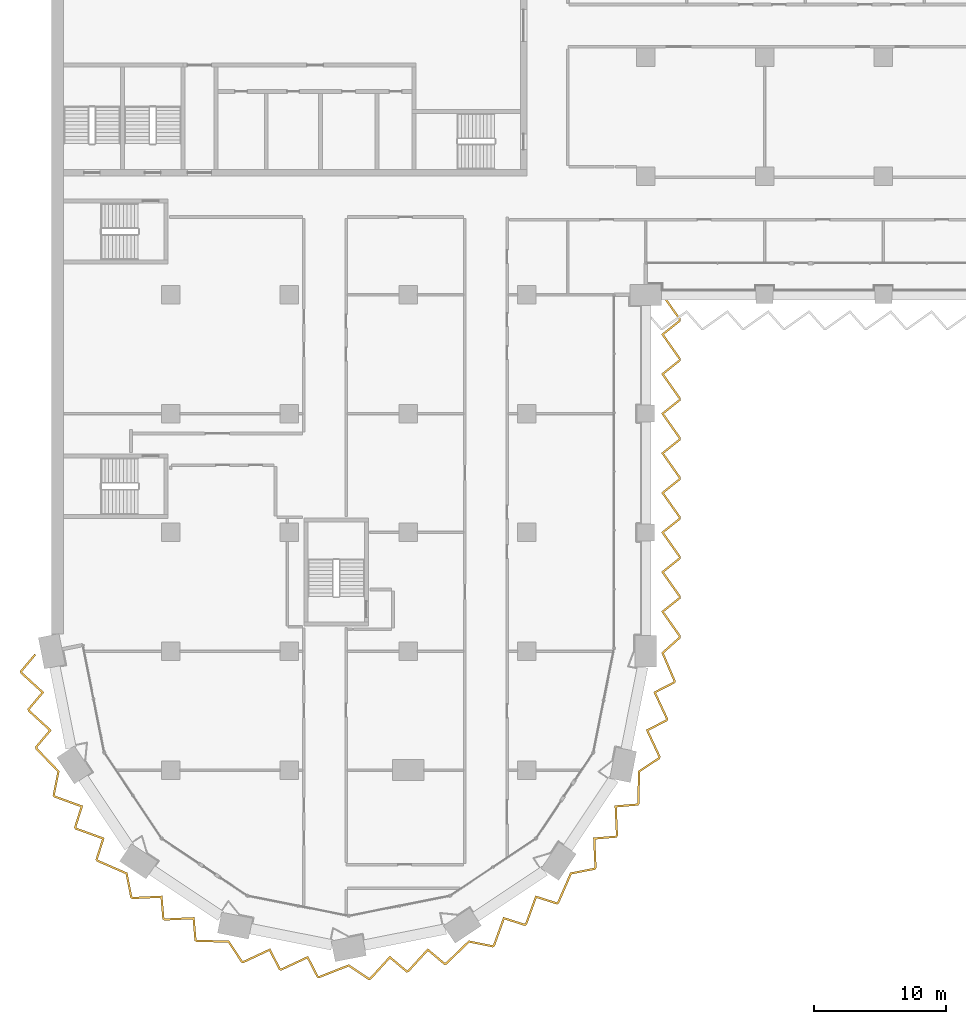
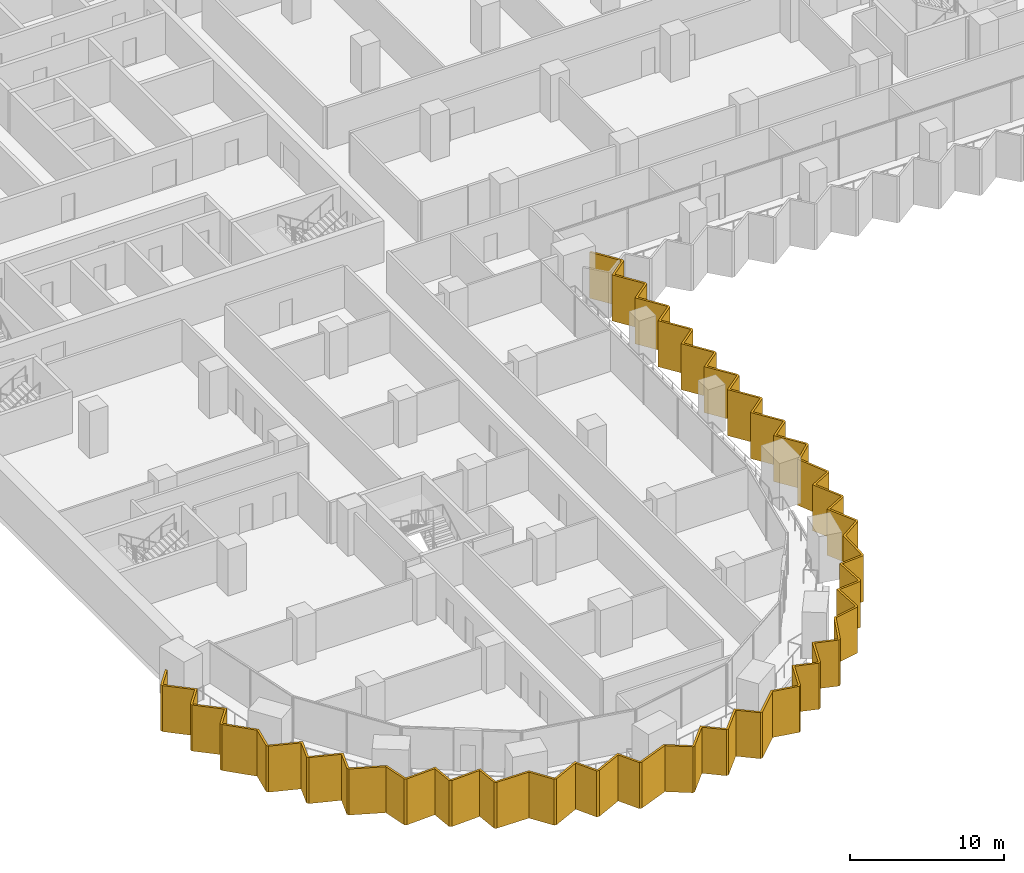
# One storey, part 24 of 29: 1 shading device.
"""IFC4 building model written with IfcOpenShell, lengths in metres."""

from ifc_helpers import new_model, si_unit, direction, frame, origin, place, context, subcontext, project, spatial, polyline, outline, extrude, material, layer, layer_set, type_object, element, save


model = new_model("IFC4")

# Units and contexts
model_context = context("Model", 3, precision=1e-05, world=origin(), true_north=direction((0.0, 1.0)))
body_context = subcontext(model_context, "Body", "Model", "MODEL_VIEW")
ifc_project = project(units=[si_unit("LENGTHUNIT", "METRE"), si_unit("AREAUNIT", "SQUARE_METRE"), si_unit("VOLUMEUNIT", "CUBIC_METRE"), si_unit("PLANEANGLEUNIT", "RADIAN"), si_unit("MASSUNIT", "GRAM", prefix="KILO")], contexts=[model_context])

# Site, building, storey
site_placement = place(None, origin())
site = spatial("IfcSite", under=ifc_project, at=site_placement, CompositionType="ELEMENT")
building_placement = place(site_placement, origin())
building = spatial("IfcBuilding", under=site, at=building_placement, Name="Hunhe Ridgeline Campus", CompositionType="ELEMENT")
storey_placement = place(building_placement, frame((0.0, 0.0, 50.60009765625)))
storey = spatial("IfcBuildingStorey", under=building, at=storey_placement, Name="L11", CompositionType="ELEMENT", Elevation=50.60009765625)

# Shading device
ifc_material = material(Name="Concrete C50", Category="concrete")
ifc_layer = layer(ifc_material, 0.14990234375)
ifc_layer_set = layer_set([ifc_layer], Name="Sawtooth concrete fin 150 Concrete C50")
shading_device_type = type_object("IfcShadingDeviceType", Name="Sawtooth concrete fin 150 Concrete C50", PredefinedType="USERDEFINED", material=ifc_layer_set)
shading_device_placement = place(storey_placement, frame((0.0, 0.0, -0.9501953125)))
element("IfcShadingDevice", 1, at=shading_device_placement, inside=storey, type_object=shading_device_type, Name="Concrete fin screen 1", ObjectType="FIN", PredefinedType="USERDEFINED", context=body_context, shape_type="SweptSolid", body=[
    extrude(outline(polyline([(-1.193115234375, 26.702880859375), (-1.307861328125, 26.799560546875), (-2.40380859375, 25.50146484375), (-2.36865234375, 25.32421875), (-0.783447265625, 23.87451171875), (-1.8330078125, 22.63134765625), (-1.797607421875, 22.4541015625), (-0.21240234375, 21.00439453125), (-1.261962890625, 19.76123046875), (-1.227294921875, 19.58642578125), (0.430419921875, 17.868408203125), (0.068115234375, 16.081298828125), (0.165771484375, 15.93505859375), (2.18505859375, 15.2021484375), (1.691162109375, 13.652099609375), (1.79150390625, 13.501953125), (3.810791015625, 12.76904296875), (3.31689453125, 11.218994140625), (3.415771484375, 11.07080078125), (5.604736328125, 10.117919921875), (5.953857421875, 8.328125), (6.10009765625, 8.230224609375), (8.246337890625, 8.325927734375), (8.383056640625, 6.704833984375), (8.533447265625, 6.6044921875), (10.679443359375, 6.7001953125), (10.816162109375, 5.0791015625), (10.96435546875, 4.980224609375), (13.351318359375, 4.9375), (14.35888671875, 3.41748046875), (14.53125, 3.383056640625), (16.4775390625, 4.292724609375), (17.224365234375, 2.847412109375), (17.401611328125, 2.812255859375), (19.34765625, 3.721923828125), (20.094482421875, 2.276611328125), (20.26904296875, 2.241943359375), (22.49072265625, 3.11572265625), (24.003173828125, 2.09716796875), (24.17578125, 2.13134765625), (25.62548828125, 3.716552734375), (26.86865234375, 2.6669921875), (27.0458984375, 2.702392578125), (28.49560546875, 4.28759765625), (29.73876953125, 3.238037109375), (29.91357421875, 3.272705078125), (31.631591796875, 4.930419921875), (33.418701171875, 4.568115234375), (33.56494140625, 4.665771484375), (34.2978515625, 6.68505859375), (35.847900390625, 6.191162109375), (35.998046875, 6.29150390625), (36.73095703125, 8.310791015625), (38.281005859375, 7.81689453125), (38.42919921875, 7.915771484375), (39.382080078125, 10.104736328125), (41.171875, 10.453857421875), (41.269775390625, 10.60009765625), (41.174072265625, 12.746337890625), (42.795166015625, 12.883056640625), (42.8955078125, 13.033447265625), (42.7998046875, 15.179443359375), (44.4208984375, 15.316162109375), (44.519775390625, 15.46435546875), (44.5625, 17.851318359375), (46.08251953125, 18.85888671875), (46.116943359375, 19.03125), (45.207275390625, 20.9775390625), (46.652587890625, 21.724365234375), (46.687744140625, 21.901611328125), (45.778076171875, 23.84765625), (47.223388671875, 24.594482421875), (47.25830078125, 24.770263671875), (46.365234375, 26.8544921875), (47.64990234375, 28.00341796875), (47.64990234375, 28.1806640625), (46.376953125, 29.9853515625), (47.64990234375, 31.000732421875), (47.64990234375, 31.1806640625), (46.376953125, 32.9853515625), (47.64990234375, 34.000732421875), (47.64990234375, 34.1806640625), (46.376953125, 35.9853515625), (47.64990234375, 37.000732421875), (47.64990234375, 37.1806640625), (46.376953125, 38.9853515625), (47.64990234375, 40.000732421875), (47.64990234375, 40.1806640625), (46.376953125, 41.9853515625), (47.64990234375, 43.000732421875), (47.64990234375, 43.1806640625), (46.376953125, 44.9853515625), (47.64990234375, 46.000732421875), (47.64990234375, 46.1806640625), (46.376953125, 47.9853515625), (47.64990234375, 49.000732421875), (47.64990234375, 49.1806640625), (46.376953125, 50.9853515625), (47.64990234375, 52.000732421875), (47.64990234375, 52.1806640625), (46.336181640625, 54.043212890625), (46.213623046875, 53.956787109375), (47.5, 52.133056640625), (47.5, 52.072998046875), (46.1728515625, 51.0146484375), (47.5, 49.133056640625), (47.5, 49.072998046875), (46.1728515625, 48.0146484375), (47.5, 46.133056640625), (47.5, 46.072998046875), (46.1728515625, 45.0146484375), (47.5, 43.133056640625), (47.5, 43.072998046875), (46.1728515625, 42.0146484375), (47.5, 40.133056640625), (47.5, 40.072998046875), (46.1728515625, 39.0146484375), (47.5, 37.133056640625), (47.5, 37.072998046875), (46.1728515625, 36.0146484375), (47.5, 34.133056640625), (47.5, 34.072998046875), (46.1728515625, 33.0146484375), (47.5, 31.133056640625), (47.5, 31.072998046875), (46.1728515625, 30.0146484375), (47.5, 28.133056640625), (47.5, 28.0703125), (46.184814453125, 26.89453125), (47.102294921875, 24.75390625), (47.09033203125, 24.694580078125), (45.5810546875, 23.914794921875), (46.531005859375, 21.882568359375), (46.51953125, 21.824462890625), (45.01025390625, 21.04443359375), (45.960205078125, 19.012451171875), (45.947509765625, 18.949462890625), (44.4140625, 17.932861328125), (44.37060546875, 15.510986328125), (44.336181640625, 15.459716796875), (42.6435546875, 15.316650390625), (42.743408203125, 13.07568359375), (42.71044921875, 13.0263671875), (41.017578125, 12.883544921875), (41.11767578125, 10.642578125), (41.08203125, 10.58935546875), (39.276123046875, 10.237060546875), (38.309326171875, 8.01611328125), (38.2578125, 7.981689453125), (36.63916015625, 8.49755859375), (35.8740234375, 6.388916015625), (35.82470703125, 6.35595703125), (34.2060546875, 6.871826171875), (33.440673828125, 4.76318359375), (33.387451171875, 4.7275390625), (31.584228515625, 5.093017578125), (29.841064453125, 3.4111328125), (29.7802734375, 3.399169921875), (28.482177734375, 4.4951171875), (26.96826171875, 2.83984375), (26.91015625, 2.828369140625), (25.612060546875, 3.92431640625), (24.09814453125, 2.26904296875), (24.035400390625, 2.25634765625), (22.50927734375, 3.2841796875), (20.255126953125, 2.3974609375), (20.194580078125, 2.40966796875), (19.414794921875, 3.9189453125), (17.382568359375, 2.968994140625), (17.324462890625, 2.98046875), (16.54443359375, 4.48974609375), (14.512451171875, 3.539794921875), (14.449462890625, 3.552490234375), (13.432861328125, 5.0859375), (11.010986328125, 5.12939453125), (10.959716796875, 5.163818359375), (10.816650390625, 6.8564453125), (8.57568359375, 6.756591796875), (8.5263671875, 6.78955078125), (8.383544921875, 8.482421875), (6.142578125, 8.38232421875), (6.08935546875, 8.41796875), (5.737060546875, 10.223876953125), (3.51611328125, 11.190673828125), (3.481689453125, 11.2421875), (3.99755859375, 12.86083984375), (1.888916015625, 13.6259765625), (1.85595703125, 13.67529296875), (2.371826171875, 15.2939453125), (0.26318359375, 16.059326171875), (0.2275390625, 16.112548828125), (0.593017578125, 17.915771484375), (-1.0888671875, 19.658935546875), (-1.100830078125, 19.7197265625), (-0.0048828125, 21.017822265625), (-1.66015625, 22.53173828125), (-1.671630859375, 22.58984375), (-0.57568359375, 23.887939453125), (-2.23095703125, 25.40185546875), (-2.24267578125, 25.4599609375), (-1.193115234375, 26.702880859375)])), origin(), (0.0, 0.0, 1.0), 3.650146484375),
])

save(model, "model.ifc")
